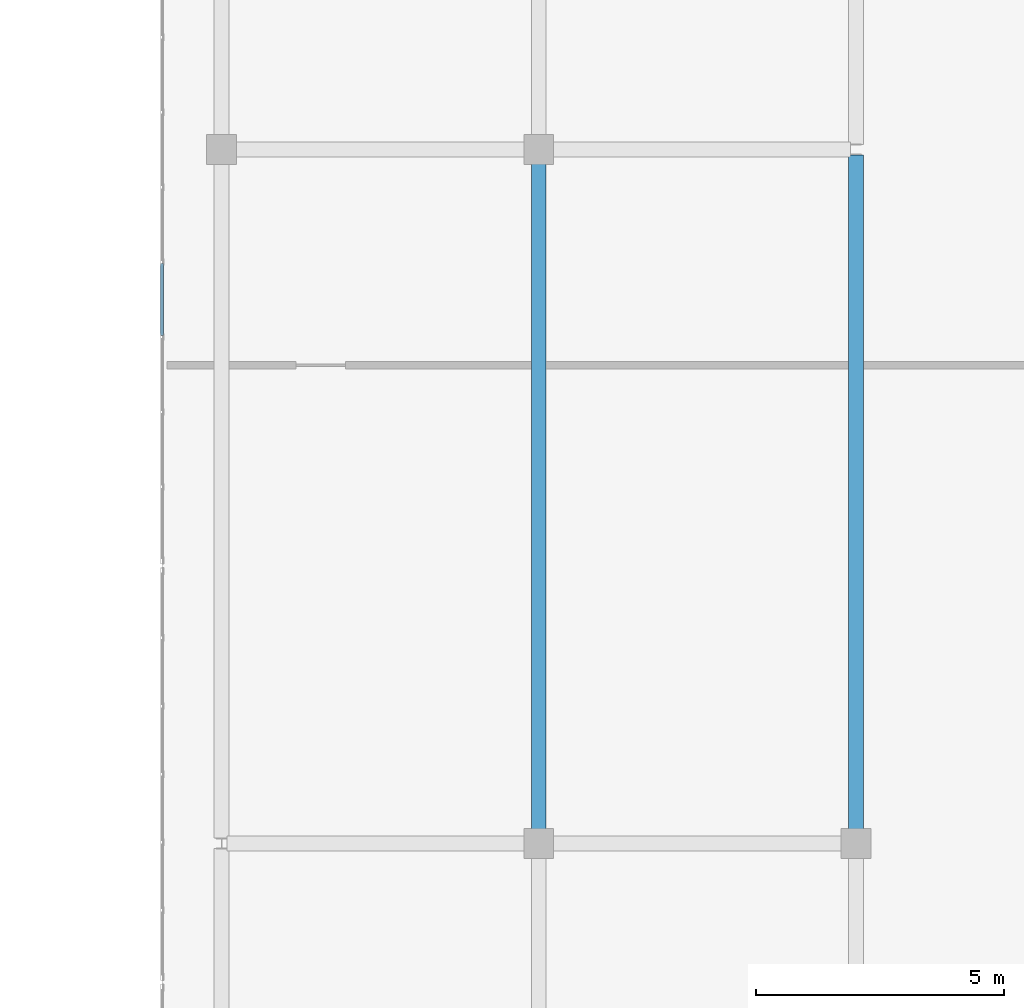
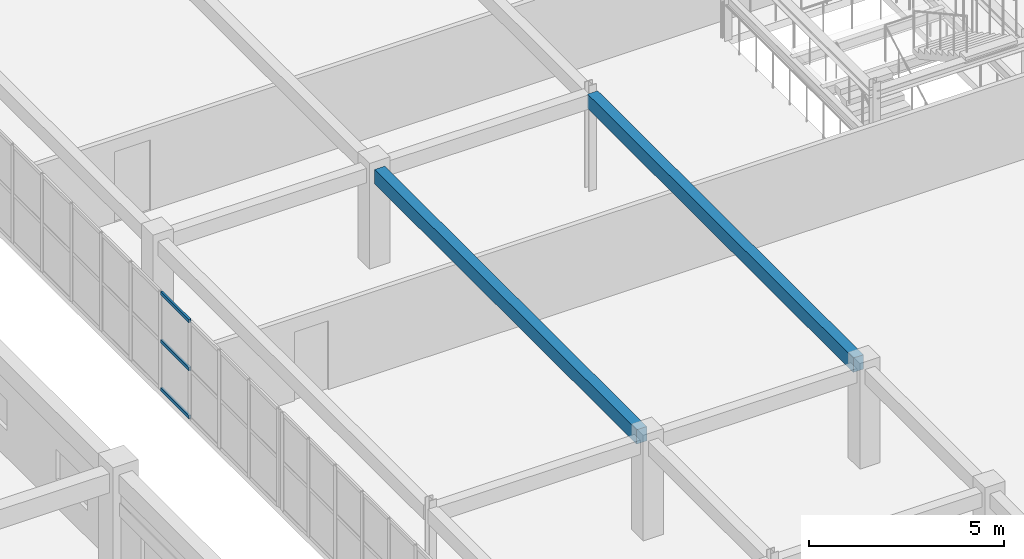
# One storey, part 42 of 200: 3 members, 2 beams, 1 element without a shape of its own.
"""IFC4 building model written with IfcOpenShell, lengths in metres."""

import ifcopenshell
import ifcopenshell.guid

model = None  # the IFC model being written
_history = None  # IfcOwnerHistory: only IFC2X3 demands one
_inside = {}  # id of a spatial element -> (the spatial element, [elements in it])
_under = {}  # id of a project, library or spatial element -> (it, [spatial elements below it])
_declared = {}  # id of a project -> (the project, [libraries it declares])
_typed = {}  # id of a type object -> (the type object, [elements of that type])
_made_of = {}  # id of a material, layer set ... -> (it, [elements and type objects made of it])


def new_model(schema):
    """Start an empty IFC model of exactly this schema.

    Asked for "IFC4X3", IfcOpenShell would pick the latest addendum, in which some entities
    have other attributes; the version numbers below select the first issue.
    IFC2X3 requires an IfcOwnerHistory on every rooted entity: one is made here for all.
    """
    global model, _history
    if schema == "IFC4X3":
        model = ifcopenshell.file(schema_version=(4, 3, 0, 0))
    else:
        model = ifcopenshell.file(schema=schema)
    _inside.clear()
    _under.clear()
    _declared.clear()
    _typed.clear()
    _made_of.clear()
    _history = None
    if model.schema == "IFC2X3":
        org = make("IfcOrganization", Name="unknown")
        user = make(
            "IfcPersonAndOrganization",
            ThePerson=make("IfcPerson", FamilyName="unknown"),
            TheOrganization=org,
        )
        app = make(
            "IfcApplication",
            ApplicationDeveloper=org,
            Version="unknown",
            ApplicationFullName="unknown",
            ApplicationIdentifier="unknown",
        )
        _history = make(
            "IfcOwnerHistory",
            OwningUser=user,
            OwningApplication=app,
            ChangeAction="ADDED",
            CreationDate=0,
        )
    return model


def make(cls, **values):
    """One entity of the class cls with the attributes given. An attribute that is None is left unset."""
    return model.create_entity(
        cls, **{name: value for name, value in values.items() if value is not None}
    )


def rooted(cls, **values):
    """An entity with a GlobalId (a new one), such as an element, a storey or a relation."""
    return make(cls, GlobalId=ifcopenshell.guid.new(), OwnerHistory=_history, **values)


def si_unit(unit_type, name, prefix=None):
    """IfcSIUnit, for example si_unit("LENGTHUNIT", "METRE", prefix="MILLI")."""
    return make("IfcSIUnit", UnitType=unit_type, Prefix=prefix, Name=name)


def assignment(units):
    """IfcUnitAssignment: the units of a project."""
    return None if units is None else make("IfcUnitAssignment", Units=units)


def point(xyz):
    """IfcCartesianPoint."""
    return None if xyz is None else make("IfcCartesianPoint", Coordinates=xyz)


def direction(xyz):
    """IfcDirection."""
    return None if xyz is None else make("IfcDirection", DirectionRatios=xyz)


def frame(location, z_axis=None, x_axis=None):
    """IfcAxis2Placement3D, a coordinate frame: its origin and axes. An axis left out is left unset."""
    return make(
        "IfcAxis2Placement3D",
        Location=point(location),
        Axis=direction(z_axis),
        RefDirection=direction(x_axis),
    )


def frame_2d(location, x_axis=None):
    """IfcAxis2Placement2D, a coordinate frame in the plane: its origin and x axis."""
    return make(
        "IfcAxis2Placement2D", Location=point(location), RefDirection=direction(x_axis)
    )


def origin():
    """The frame at (0, 0, 0) with its axes left unset."""
    return frame((0.0, 0.0, 0.0))


def origin_2d():
    """The frame at (0, 0) in the plane with its x axis left unset."""
    return frame_2d((0.0, 0.0))


def place(relative_to, where):
    """IfcLocalPlacement: puts the frame where relative to a parent placement (None: the world)."""
    return make(
        "IfcLocalPlacement", PlacementRelTo=relative_to, RelativePlacement=where
    )


def context(
    kind, dimensions, precision=None, world=None, true_north=None, identifier=None
):
    """IfcGeometricRepresentationContext, for example the 3D "Model" context."""
    return make(
        "IfcGeometricRepresentationContext",
        ContextIdentifier=identifier,
        ContextType=kind,
        CoordinateSpaceDimension=dimensions,
        Precision=precision,
        WorldCoordinateSystem=world,
        TrueNorth=true_north,
    )


def subcontext(parent, identifier, kind, view, scale=None):
    """IfcGeometricRepresentationSubContext, for example "Body" below "Model"."""
    return make(
        "IfcGeometricRepresentationSubContext",
        ContextIdentifier=identifier,
        ContextType=kind,
        ParentContext=parent,
        TargetScale=scale,
        TargetView=view,
    )


def project(units=None, contexts=None):
    """IfcProject with its units and contexts."""
    return rooted(
        "IfcProject",
        Name="project",
        RepresentationContexts=contexts,
        UnitsInContext=assignment(units),
    )


def spatial(cls, under=None, at=None, **own):
    """A site, building, storey or space (cls), placed at a placement, below another one or the project."""
    s = rooted(cls, ObjectPlacement=at, **own)
    if under is not None:
        _under.setdefault(under.id(), (under, []))[1].append(s)
    return s


def profile(cls, at=None, kind="AREA", **sizes):
    """A parametric profile (cls). Its sizes go by their IFC names, for example OverallWidth=200.0."""
    return make(cls, ProfileType=kind, Position=at, **sizes)


def rectangle(**sizes):
    """IfcRectangleProfileDef."""
    return profile("IfcRectangleProfileDef", **sizes)


def hollow_rectangle(**sizes):
    """IfcRectangleHollowProfileDef."""
    return profile("IfcRectangleHollowProfileDef", **sizes)


def extrude(swept, where, along, depth):
    """IfcExtrudedAreaSolid: the profile swept, set in the frame where, extruded along a direction by depth."""
    return make(
        "IfcExtrudedAreaSolid",
        SweptArea=swept,
        Position=where,
        ExtrudedDirection=direction(along),
        Depth=depth,
    )


def shape(context_of_items, identifier, shape_type, items):
    """IfcShapeRepresentation: the items that make up one representation, for example the "Body"."""
    return make(
        "IfcShapeRepresentation",
        ContextOfItems=context_of_items,
        RepresentationIdentifier=identifier,
        RepresentationType=shape_type,
        Items=items,
    )


def material(Name=None, Category=None):
    """IfcMaterial."""
    return make("IfcMaterial", Name=Name, Category=Category)


def layer(
    of_material, thickness, ventilated=None, Name=None, Category=None, Priority=None
):
    """IfcMaterialLayer: one layer of a wall or slab, of a material (None: an air gap)."""
    return make(
        "IfcMaterialLayer",
        Material=of_material,
        LayerThickness=thickness,
        IsVentilated=ventilated,
        Name=Name,
        Category=Category,
        Priority=Priority,
    )


def layer_set(layers, Name=None):
    """IfcMaterialLayerSet."""
    return make("IfcMaterialLayerSet", MaterialLayers=layers, LayerSetName=Name)


def material_profile(
    of_material, cross_section, Name=None, Category=None, Priority=None
):
    """IfcMaterialProfile: a cross section and its material."""
    return make(
        "IfcMaterialProfile",
        Name=Name,
        Material=of_material,
        Profile=cross_section,
        Priority=Priority,
        Category=Category,
    )


def profile_set(profiles, Name=None, composite=None):
    """IfcMaterialProfileSet."""
    return make(
        "IfcMaterialProfileSet",
        Name=Name,
        MaterialProfiles=profiles,
        CompositeProfile=composite,
    )


def made_of(thing, what):
    """Note that an element or type object is made of a material, layer set ...; save() writes the relation."""
    if what is not None:
        _made_of.setdefault(what.id(), (what, []))[1].append(thing)
    return thing


def type_object(cls, material=None, **own):
    """A type object (cls), such as IfcWallType, which elements share."""
    return made_of(rooted(cls, **own), material)


def element(
    cls,
    number,
    at=None,
    inside=None,
    cuts=None,
    type_object=None,
    material=None,
    context=None,
    identifier="Body",
    shape_type=None,
    held_by="IfcProductDefinitionShape",
    body=None,
    shapes=None,
    **own,
):
    """One element of the class cls, such as IfcWall. Its Tag is "e" and its number.

    at: its placement. inside: the storey or other place that contains it. cuts: it is an
    opening in that element (IfcRelVoidsElement). A single representation is given by context,
    identifier, shape_type and body (its items); several are given by shapes. held_by: the class
    of the entity that holds the representations. save() writes the other relations.
    """
    e = rooted(cls, Tag="e%d" % number, ObjectPlacement=at, **own)
    if body is not None:
        shapes = [shape(context, identifier, shape_type, body)]
    if shapes is not None:
        e.Representation = make(held_by, Representations=shapes)
    if inside is not None:
        _inside.setdefault(inside.id(), (inside, []))[1].append(e)
    if cuts is not None:
        rooted(
            "IfcRelVoidsElement", RelatingBuildingElement=cuts, RelatedOpeningElement=e
        )
    if type_object is not None:
        _typed.setdefault(type_object.id(), (type_object, []))[1].append(e)
    return made_of(e, material)


def aggregate(whole, parts):
    """IfcRelAggregates: a whole, such as a stair, and the parts it consists of."""
    return rooted("IfcRelAggregates", RelatingObject=whole, RelatedObjects=parts)


def save(model, path):
    """Write the relations noted so far, then the file.

    IfcRelAggregates (storeys below a building ...), IfcRelContainedInSpatialStructure (elements
    in a storey), IfcRelDefinesByType, IfcRelAssociatesMaterial and IfcRelDeclares: one each for
    every whole, place, type object, material and project.
    """
    for whole, parts in _under.values():
        aggregate(whole, parts)
    for where, things in _inside.values():
        rooted(
            "IfcRelContainedInSpatialStructure",
            RelatedElements=things,
            RelatingStructure=where,
        )
    for kind, things in _typed.values():
        rooted("IfcRelDefinesByType", RelatedObjects=things, RelatingType=kind)
    for what, things in _made_of.values():
        rooted("IfcRelAssociatesMaterial", RelatedObjects=things, RelatingMaterial=what)
    for by, libraries in _declared.values():
        rooted("IfcRelDeclares", RelatingContext=by, RelatedDefinitions=libraries)
    model.write(path)


model = new_model("IFC4")

# Units and contexts
model_context = context("Model", 3, precision=1e-05, world=origin(), true_north=direction((0.0, 1.0)))
body_context = subcontext(model_context, "Body", "Model", "MODEL_VIEW")
ifc_project = project(units=[si_unit("LENGTHUNIT", "METRE"), si_unit("AREAUNIT", "SQUARE_METRE"), si_unit("VOLUMEUNIT", "CUBIC_METRE"), si_unit("PLANEANGLEUNIT", "RADIAN"), si_unit("MASSUNIT", "GRAM", prefix="KILO")], contexts=[model_context])

# Site, building, storey
site_placement = place(None, origin())
site = spatial("IfcSite", under=ifc_project, at=site_placement, CompositionType="ELEMENT")
building_placement = place(site_placement, origin())
building = spatial("IfcBuilding", under=site, at=building_placement, Name="Trelvath General Hospital", CompositionType="ELEMENT")
storey_placement = place(building_placement, frame((0.0, 0.0, 4.800048828125)))
storey = spatial("IfcBuildingStorey", under=building, at=storey_placement, Name="L01", CompositionType="ELEMENT", Elevation=4.800048828125)

# Beams
ifc_material_1 = material(Name="Concrete C35/45", Category="concrete")
ifc_material_profile_1 = material_profile(ifc_material_1, rectangle(XDim=0.300048828125, YDim=0.449951171875, at=origin_2d()), Name="RCB300x450")
ifc_profile_set_1 = profile_set([ifc_material_profile_1], Name="Concrete C35/45")
beam_type = type_object("IfcBeamType", Name="Beam RC300x450", PredefinedType="BEAM", material=ifc_profile_set_1)
beam_1_placement = place(storey_placement, frame((54.39990234375, 45.095947265625, 2.8349609375), z_axis=(0.0, 1.0, 0.0), x_axis=(-1.0, 0.0, 0.0)))
element("IfcBeam", 1, at=beam_1_placement, inside=storey, type_object=beam_type, Name="Cube Interior Ring Beam CUBE-W-T0 L01", PredefinedType="BEAM", context=body_context, shape_type="SweptSolid", body=[
    extrude(rectangle(XDim=0.300048828125, YDim=0.449951171875, at=origin_2d()), origin(), (0.0, 0.0, 1.0), 13.407958984375),
])
beam_2_placement = place(storey_placement, frame((60.800048828125, 45.095947265625, 2.8349609375), z_axis=(0.0, 1.0, 0.0), x_axis=(-1.0, 0.0, 0.0)))
element("IfcBeam", 2, at=beam_2_placement, inside=storey, type_object=beam_type, Name="Cube Interior Ring Beam CUBE-W-T0 L01", PredefinedType="BEAM", context=body_context, shape_type="SweptSolid", body=[
    extrude(rectangle(XDim=0.300048828125, YDim=0.449951171875, at=origin_2d()), origin(), (0.0, 0.0, 1.0), 13.59814453125),
])

# Curtain wall, members
ifc_material_2 = material(Name="Anodised aluminium and low-E glass", Category="aluminium")
ifc_layer = layer(ifc_material_2, 0.14990234375)
ifc_layer_set = layer_set([ifc_layer], Name="Anodised aluminium and low-E glass")
curtain_wall_type = type_object("IfcCurtainWallType", Name="CW CrystalCube 1664 306 15", PredefinedType="USERDEFINED", material=ifc_layer_set)
curtain_wall_placement = place(storey_placement, origin())
curtain_wall = element("IfcCurtainWall", 3, at=curtain_wall_placement, inside=storey, type_object=curtain_wall_type, Name="Crystal Cube Curtain Wall CUBE-W-T0 W4 L01", ObjectType="Unitised Glazed Curtain Wall", PredefinedType="USERDEFINED")
ifc_material_3 = material(Name="Anodised aluminium", Category="aluminium")
ifc_material_profile_2 = material_profile(ifc_material_3, hollow_rectangle(XDim=0.06005859375, YDim=0.110107421875, WallThickness=0.00390625, at=origin_2d()), Name="RHS60x110x4")
ifc_profile_set_2 = profile_set([ifc_material_profile_2], Name="Anodised aluminium")
member_type = type_object("IfcMemberType", Name="CurtainTransom 60x110", PredefinedType="USERDEFINED", material=ifc_profile_set_2)
member_1_placement = place(storey_placement, frame((46.800048828125, 55.048095703125, 0.030029296875), z_axis=(0.0, 1.0, 0.0), x_axis=(-1.0, 0.0, 0.0)))
member_1 = element("IfcMember", 4, at=member_1_placement, type_object=member_type, Name="CW-143 transom 4.1", ObjectType="TRANSOM", PredefinedType="USERDEFINED", context=body_context, shape_type="SweptSolid", body=[
    extrude(hollow_rectangle(XDim=0.06005859375, YDim=0.110107421875, WallThickness=0.00390625, at=origin_2d()), origin(), (0.0, 0.0, 1.0), 1.452880859375),
])
member_2_placement = place(storey_placement, frame((46.800048828125, 55.048095703125, 1.530029296875), z_axis=(0.0, 1.0, 0.0), x_axis=(-1.0, 0.0, 0.0)))
member_2 = element("IfcMember", 5, at=member_2_placement, type_object=member_type, Name="CW-143 transom 4.2", ObjectType="TRANSOM", PredefinedType="USERDEFINED", context=body_context, shape_type="SweptSolid", body=[
    extrude(hollow_rectangle(XDim=0.06005859375, YDim=0.110107421875, WallThickness=0.00390625, at=origin_2d()), origin(), (0.0, 0.0, 1.0), 1.452880859375),
])
member_3_placement = place(storey_placement, frame((46.800048828125, 55.048095703125, 3.030029296875), z_axis=(0.0, 1.0, 0.0), x_axis=(-1.0, 0.0, 0.0)))
member_3 = element("IfcMember", 6, at=member_3_placement, type_object=member_type, Name="CW-143 transom 4.3", ObjectType="TRANSOM", PredefinedType="USERDEFINED", context=body_context, shape_type="SweptSolid", body=[
    extrude(hollow_rectangle(XDim=0.06005859375, YDim=0.110107421875, WallThickness=0.00390625, at=origin_2d()), origin(), (0.0, 0.0, 1.0), 1.452880859375),
])
aggregate(curtain_wall, [member_1, member_2, member_3])

save(model, "model.ifc")
